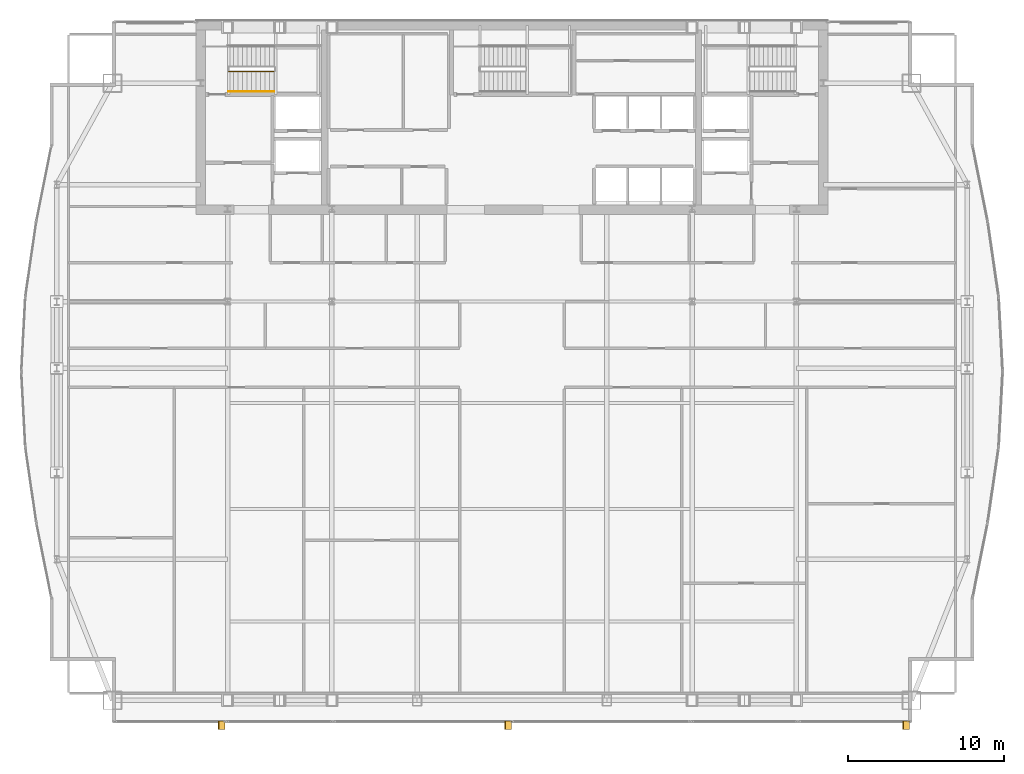
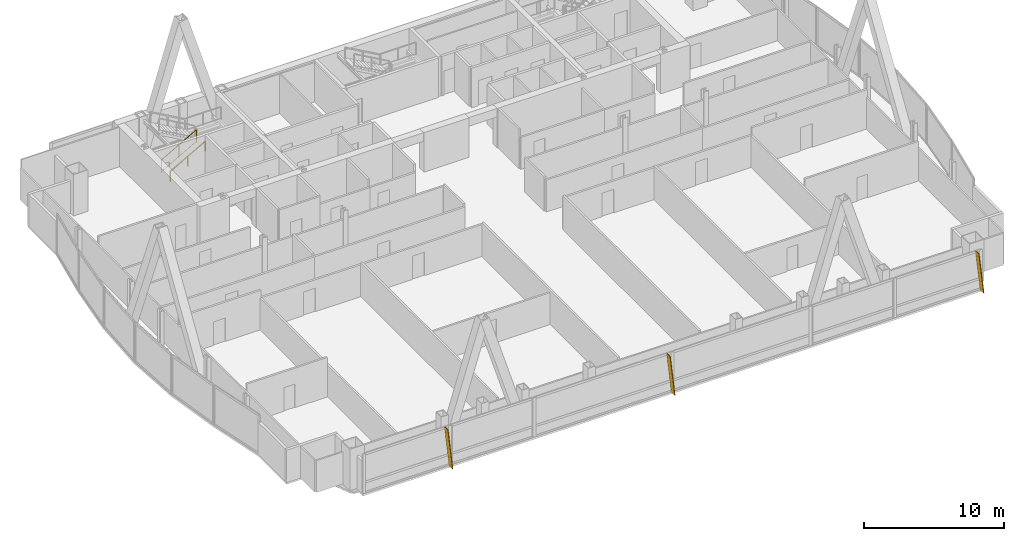
# One storey, part 31 of 32: 3 shading devices, 2 railings.
"""IFC4 building model written with IfcOpenShell, lengths in metres."""

from ifc_helpers import new_model, si_unit, direction, frame, origin, origin_2d, place, context, subcontext, project, spatial, polyline, rectangle, outline, extrude, material, layer, layer_set, type_object, element, save


model = new_model("IFC4")

# Units and contexts
model_context = context("Model", 3, precision=1e-05, world=origin(), true_north=direction((0.0, 1.0)))
body_context = subcontext(model_context, "Body", "Model", "MODEL_VIEW")
ifc_project = project(units=[si_unit("LENGTHUNIT", "METRE"), si_unit("AREAUNIT", "SQUARE_METRE"), si_unit("VOLUMEUNIT", "CUBIC_METRE"), si_unit("PLANEANGLEUNIT", "RADIAN"), si_unit("MASSUNIT", "GRAM", prefix="KILO")], contexts=[model_context])

# Site, building, storey
site_placement = place(None, origin())
site = spatial("IfcSite", under=ifc_project, at=site_placement, CompositionType="ELEMENT")
building_placement = place(site_placement, origin())
building = spatial("IfcBuilding", under=site, at=building_placement, Name="Khoronbel Lancet Exchange", CompositionType="ELEMENT")
storey_placement = place(building_placement, frame((0.0, 0.0, 221.0)))
storey = spatial("IfcBuildingStorey", under=building, at=storey_placement, Name="L56", CompositionType="ELEMENT", Elevation=221.0)

# Railings
ifc_material_1 = material(Name="Painted Steel Balustrade", Category="steel")
railing_type_1 = type_object("IfcRailingType", Name="RL-STG110", PredefinedType="GUARDRAIL", material=ifc_material_1)
railing_1_placement = place(storey_placement, frame((18.300048828125, 50.449951171875, 0.16357421875)))
element("IfcRailing", 1, at=railing_1_placement, inside=storey, type_object=railing_type_1, Name="L56 ST1 stair guard 1", PredefinedType="GUARDRAIL", context=body_context, shape_type="SweptSolid", body=[
    extrude(rectangle(XDim=0.048095703125, YDim=0.048095703125, at=origin_2d()), frame((0.0, 0.0, 1.09619140625), z_axis=(0.870897200241, 0.0, 0.491465224214), x_axis=(0.0, 1.0, 0.0)), (0.0, 0.0, 1.0), 3.329833984375),
    extrude(rectangle(XDim=0.02392578125, YDim=0.02392578125, at=origin_2d()), frame((0.0, 0.0, 0.080078125), z_axis=(0.870897200241, 0.0, 0.491465224214), x_axis=(0.0, 1.0, 0.0)), (0.0, 0.0, 1.0), 3.329833984375),
    extrude(rectangle(XDim=0.0419921875, YDim=0.0419921875, at=origin_2d()), origin(), (0.0, 0.0, 1.0), 1.072021484375),
    extrude(rectangle(XDim=0.0419921875, YDim=0.0419921875, at=origin_2d()), frame((1.449951171875, 0.0, 0.818359375)), (0.0, 0.0, 1.0), 1.072021484375),
    extrude(rectangle(XDim=0.0419921875, YDim=0.0419921875, at=origin_2d()), frame((2.89990234375, 0.0, 1.636474609375)), (0.0, 0.0, 1.0), 1.072021484375),
])
ifc_material_2 = material(Name="Brushed Stainless Steel 316", Category="steel")
railing_type_2 = type_object("IfcRailingType", Name="RL-STH92", PredefinedType="HANDRAIL", material=ifc_material_2)
railing_2_placement = place(storey_placement, frame((18.300048828125, 49.169921875, 0.16357421875)))
element("IfcRailing", 2, at=railing_2_placement, inside=storey, type_object=railing_type_2, Name="L56 ST1 stair handrail 1", PredefinedType="HANDRAIL", context=body_context, shape_type="SweptSolid", body=[
    extrude(rectangle(XDim=0.048095703125, YDim=0.048095703125, at=origin_2d()), frame((0.0, 0.0, 0.8759765625), z_axis=(0.870897200241, 0.0, 0.491465224214), x_axis=(0.0, 1.0, 0.0)), (0.0, 0.0, 1.0), 3.329833984375),
    extrude(rectangle(XDim=0.0419921875, YDim=0.0419921875, at=origin_2d()), origin(), (0.0, 0.0, 1.0), 0.851806640625),
    extrude(rectangle(XDim=0.0419921875, YDim=0.0419921875, at=origin_2d()), frame((1.449951171875, 0.0, 0.818359375)), (0.0, 0.0, 1.0), 0.851806640625),
    extrude(rectangle(XDim=0.0419921875, YDim=0.0419921875, at=origin_2d()), frame((2.89990234375, 0.0, 1.636474609375)), (0.0, 0.0, 1.0), 0.851806640625),
])

# Shading devices
ifc_material_3 = material(Name="Bronze-Anodised Aluminium 6063-T6", Category="aluminium")
ifc_layer = layer(ifc_material_3, 0.054931640625, Name="Bronze-Anodised Aluminium 6063-T6")
ifc_layer_set = layer_set([ifc_layer], Name="Bronze-Anodised Aluminium 6063-T6")
shading_device_type = type_object("IfcShadingDeviceType", Name="SHD-FIN1", PredefinedType="USERDEFINED", material=ifc_layer_set)
for number, where, z_axis, x_axis, name in (
    (3, (18.072509765625, 8.81005859375, -0.080078125), (0.993900347655, 0.0, 0.110281906632), (0.0, -1.0, 0.0), "Slanted bronze solar fin CW-L56-SWV-1"),
    (4, (36.422607421875, 8.81005859375, -0.080078125), (0.993900347655, 0.0, 0.110281906632), (0.0, -1.0, 0.0), "Slanted bronze solar fin CW-L56-SCV-1"),
    (5, (61.9326171875, 8.81005859375, -0.080078125), (0.993900347655, 0.0, 0.110281906632), (0.0, -1.0, 0.0), "Slanted bronze solar fin CW-L56-SEV-1"),
):
    element("IfcShadingDevice", number, at=place(storey_placement, frame(where, z_axis=z_axis, x_axis=x_axis)), inside=storey, type_object=shading_device_type, Name=name, ObjectType="FIN", PredefinedType="USERDEFINED", context=body_context, shape_type="SweptSolid", body=[
        extrude(outline(polyline([(0.0, 0.0), (0.52001953125, 0.0), (0.52001953125, -3.581787109375), (0.0, -3.581787109375), (0.0, 0.0)])), origin(), (0.0, 0.0, -1.0), 0.054931640625),
    ])

save(model, "model.ifc")
